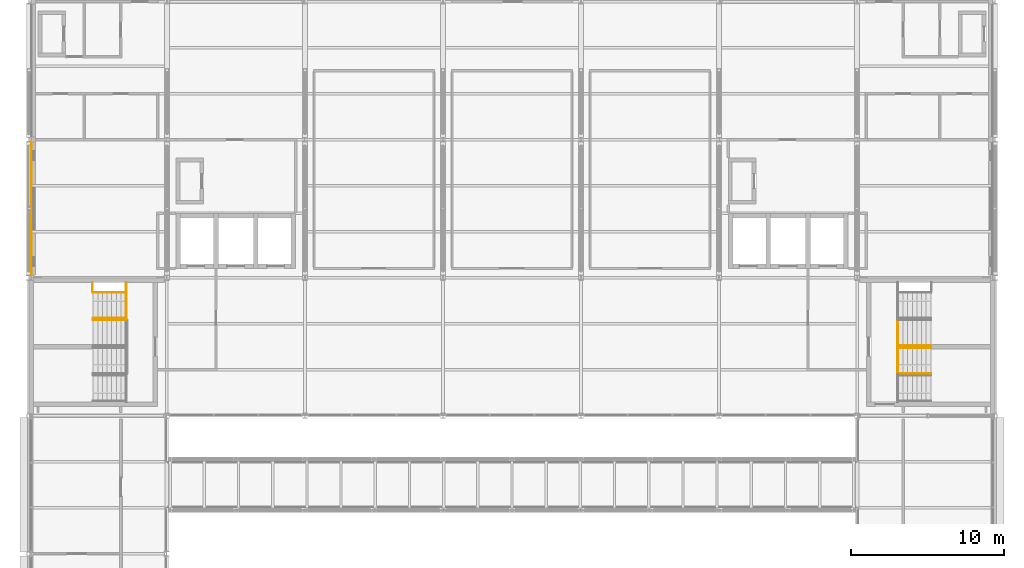
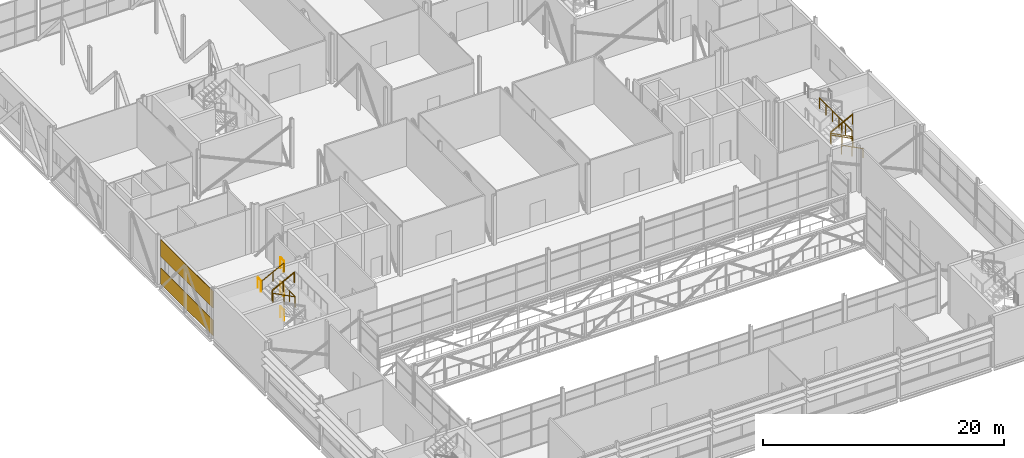
# One storey, part 91 of 94: 15 railings, 2 coverings.
"""IFC4 building model written with IfcOpenShell, lengths in metres."""

from ifc_helpers import new_model, si_unit, direction, frame, origin, origin_2d, place, context, subcontext, project, spatial, rectangle, circle, extrude, material, layer, layer_set, type_object, element, save


model = new_model("IFC4")

# Units and contexts
model_context = context("Model", 3, precision=1e-05, world=origin(), true_north=direction((0.0, 1.0)))
body_context = subcontext(model_context, "Body", "Model", "MODEL_VIEW")
ifc_project = project(units=[si_unit("LENGTHUNIT", "METRE"), si_unit("AREAUNIT", "SQUARE_METRE"), si_unit("VOLUMEUNIT", "CUBIC_METRE"), si_unit("PLANEANGLEUNIT", "RADIAN"), si_unit("MASSUNIT", "GRAM", prefix="KILO")], contexts=[model_context])

# Site, building, storey
site_placement = place(None, origin())
site = spatial("IfcSite", under=ifc_project, at=site_placement, CompositionType="ELEMENT")
building_placement = place(site_placement, origin())
building = spatial("IfcBuilding", under=site, at=building_placement, Name="Shorebreak Coast Museum", CompositionType="ELEMENT")
storey_placement = place(building_placement, frame((0.0, 0.0, 31.0)))
storey = spatial("IfcBuildingStorey", under=building, at=storey_placement, Name="L05", CompositionType="ELEMENT", Elevation=31.0)

# Railings
ifc_material_1 = material(Name="Steel Grade 300", Category="steel")
railing_type_1 = type_object("IfcRailingType", Name="Stair guard 1100", PredefinedType="GUARDRAIL", material=ifc_material_1)
railing_1_placement = place(storey_placement, frame((60.35009765625, 87.300048828125, 2.5)))
element("IfcRailing", 1, at=railing_1_placement, inside=storey, type_object=railing_type_1, Name="Guard ST03 L05 landing mid1", PredefinedType="GUARDRAIL", context=body_context, shape_type="SweptSolid", body=[
    extrude(circle(Radius=0.02490234375, at=origin_2d()), frame((0.0, 0.0, 1.0751953125), z_axis=(0.0, 1.0, 0.0), x_axis=(-1.0, 0.0, 0.0)), (0.0, 0.0, 1.0), 1.800048828125),
    extrude(circle(Radius=0.02001953125, at=origin_2d()), origin(), (0.0, 0.0, 1.0), 1.050048828125),
    extrude(circle(Radius=0.02001953125, at=origin_2d()), frame((0.0, 0.89990234375, 0.0)), (0.0, 0.0, 1.0), 1.050048828125),
    extrude(circle(Radius=0.02001953125, at=origin_2d()), frame((0.0, 1.800048828125, 0.0)), (0.0, 0.0, 1.0), 1.050048828125),
])
for number, where, name in (
    (2, (60.35009765625, 89.10009765625, 0.0), "Guard ST03 L05 landing strip"),
    (3, (60.35009765625, 89.10009765625, 2.5), "Guard ST03 L05 landing strip"),
    (4, (58.14990234375, 89.10009765625, 3.75), "Guard ST03 L05 landing strip"),
    (5, (60.35009765625, 89.10009765625, 5.0), "Guard ST03 L05 landing strip"),
):
    element("IfcRailing", number, at=place(storey_placement, frame(where)), inside=storey, type_object=railing_type_1, Name=name, PredefinedType="GUARDRAIL", context=body_context, shape_type="SweptSolid", body=[
        extrude(circle(Radius=0.02490234375, at=origin_2d()), frame((0.0, 0.0, 1.0751953125), z_axis=(0.0, 1.0, 0.0), x_axis=(-1.0, 0.0, 0.0)), (0.0, 0.0, 1.0), 0.599853515625),
        extrude(circle(Radius=0.02001953125, at=origin_2d()), origin(), (0.0, 0.0, 1.0), 1.050048828125),
        extrude(circle(Radius=0.02001953125, at=origin_2d()), frame((0.0, 0.599853515625, 0.0)), (0.0, 0.0, 1.0), 1.050048828125),
    ])
railing_2_placement = place(storey_placement, frame((58.199951171875, 87.300048828125, 3.90625)))
element("IfcRailing", 6, at=railing_2_placement, inside=storey, type_object=railing_type_1, Name="Guard ST03-L05 well 2", PredefinedType="GUARDRAIL", context=body_context, shape_type="SweptSolid", body=[
    extrude(circle(Radius=0.02490234375, at=origin_2d()), frame((0.0, 0.0, 1.0751953125), z_axis=(0.8869228845, 0.0, 0.461917521804), x_axis=(0.0, 1.0, 0.0)), (0.0, 0.0, 1.0), 2.367919921875),
    extrude(circle(Radius=0.02001953125, at=origin_2d()), origin(), (0.0, 0.0, 1.0), 1.050048828125),
    extrude(circle(Radius=0.02001953125, at=origin_2d()), frame((1.050048828125, 0.0, 0.546875)), (0.0, 0.0, 1.0), 1.050048828125),
    extrude(circle(Radius=0.02001953125, at=origin_2d()), frame((2.10009765625, 0.0, 1.09375)), (0.0, 0.0, 1.0), 1.050048828125),
])
railing_3_placement = place(storey_placement, frame((110.64990234375, 81.89990234375, 5.0)))
element("IfcRailing", 7, at=railing_3_placement, inside=storey, type_object=railing_type_1, Name="Guard ST04 L05 landing top", PredefinedType="GUARDRAIL", context=body_context, shape_type="SweptSolid", body=[
    extrude(circle(Radius=0.02490234375, at=origin_2d()), frame((0.0, 0.0, 1.0751953125), z_axis=(0.0, 1.0, 0.0), x_axis=(-1.0, 0.0, 0.0)), (0.0, 0.0, 1.0), 5.400146484375),
    extrude(circle(Radius=0.02001953125, at=origin_2d()), origin(), (0.0, 0.0, 1.0), 1.050048828125),
    extrude(circle(Radius=0.02001953125, at=origin_2d()), frame((0.0, 1.080078125, 0.0)), (0.0, 0.0, 1.0), 1.050048828125),
    extrude(circle(Radius=0.02001953125, at=origin_2d()), frame((0.0, 2.16015625, 0.0)), (0.0, 0.0, 1.0), 1.050048828125),
    extrude(circle(Radius=0.02001953125, at=origin_2d()), frame((0.0, 3.239990234375, 0.0)), (0.0, 0.0, 1.0), 1.050048828125),
    extrude(circle(Radius=0.02001953125, at=origin_2d()), frame((0.0, 4.320068359375, 0.0)), (0.0, 0.0, 1.0), 1.050048828125),
    extrude(circle(Radius=0.02001953125, at=origin_2d()), frame((0.0, 5.400146484375, 0.0)), (0.0, 0.0, 1.0), 1.050048828125),
])
railing_4_placement = place(storey_placement, frame((112.800048828125, 85.5, 1.40625)))
element("IfcRailing", 8, at=railing_4_placement, inside=storey, type_object=railing_type_1, Name="Guard ST04-L05 side 1", PredefinedType="GUARDRAIL", context=body_context, shape_type="SweptSolid", body=[
    extrude(circle(Radius=0.02490234375, at=origin_2d()), frame((0.0, 0.0, 1.0751953125), z_axis=(-0.8869228845, 0.0, 0.461917521804), x_axis=(0.0, -1.0, 0.0)), (0.0, 0.0, 1.0), 2.367919921875),
    extrude(circle(Radius=0.02001953125, at=origin_2d()), origin(), (0.0, 0.0, 1.0), 1.050048828125),
    extrude(circle(Radius=0.02001953125, at=origin_2d()), frame((-1.050048828125, 0.0, 0.546875)), (0.0, 0.0, 1.0), 1.050048828125),
    extrude(circle(Radius=0.02001953125, at=origin_2d()), frame((-2.10009765625, 0.0, 1.09375)), (0.0, 0.0, 1.0), 1.050048828125),
])
railing_5_placement = place(storey_placement, frame((110.699951171875, 85.5, 2.65625)))
element("IfcRailing", 9, at=railing_5_placement, inside=storey, type_object=railing_type_1, Name="Guard ST04-L05 side 2", PredefinedType="GUARDRAIL", context=body_context, shape_type="SweptSolid", body=[
    extrude(circle(Radius=0.02490234375, at=origin_2d()), frame((0.0, 0.0, 1.0751953125), z_axis=(0.8869228845, 0.0, 0.461917521804), x_axis=(0.0, 1.0, 0.0)), (0.0, 0.0, 1.0), 2.367919921875),
    extrude(circle(Radius=0.02001953125, at=origin_2d()), origin(), (0.0, 0.0, 1.0), 1.050048828125),
    extrude(circle(Radius=0.02001953125, at=origin_2d()), frame((1.050048828125, 0.0, 0.546875)), (0.0, 0.0, 1.0), 1.050048828125),
    extrude(circle(Radius=0.02001953125, at=origin_2d()), frame((2.10009765625, 0.0, 1.09375)), (0.0, 0.0, 1.0), 1.050048828125),
])
ifc_material_2 = material(Name="Steel Grade 300", Category="steel")
railing_type_2 = type_object("IfcRailingType", Name="Stair handrail 950", PredefinedType="HANDRAIL", material=ifc_material_2)
railing_6_placement = place(storey_placement, frame((60.300048828125, 87.239990234375, 2.65625)))
element("IfcRailing", 10, at=railing_6_placement, inside=storey, type_object=railing_type_2, Name="Handrail ST03-L05 flight 3b", PredefinedType="HANDRAIL", context=body_context, shape_type="SweptSolid", body=[
    extrude(circle(Radius=0.02490234375, at=origin_2d()), frame((0.0, 0.0, 0.9248046875), z_axis=(-0.8869228845, 0.0, 0.461917521804), x_axis=(0.0, -1.0, 0.0)), (0.0, 0.0, 1.0), 2.367919921875),
    extrude(circle(Radius=0.02001953125, at=origin_2d()), origin(), (0.0, 0.0, 1.0), 0.89990234375),
    extrude(circle(Radius=0.02001953125, at=origin_2d()), frame((-1.050048828125, 0.0, 0.546875)), (0.0, 0.0, 1.0), 0.89990234375),
    extrude(circle(Radius=0.02001953125, at=origin_2d()), frame((-2.10009765625, 0.0, 1.09375)), (0.0, 0.0, 1.0), 0.89990234375),
])
for number, where, name in (
    (11, (58.199951171875, 87.360107421875, 3.90625), "Handrail ST03-L05 flight 4a"),
    (12, (58.199951171875, 89.0400390625, 3.90625), "Handrail ST03-L05 flight 4b"),
):
    element("IfcRailing", number, at=place(storey_placement, frame(where)), inside=storey, type_object=railing_type_2, Name=name, PredefinedType="HANDRAIL", context=body_context, shape_type="SweptSolid", body=[
        extrude(circle(Radius=0.02490234375, at=origin_2d()), frame((0.0, 0.0, 0.9248046875), z_axis=(0.8869228845, 0.0, 0.461917521804), x_axis=(0.0, 1.0, 0.0)), (0.0, 0.0, 1.0), 2.367919921875),
        extrude(circle(Radius=0.02001953125, at=origin_2d()), origin(), (0.0, 0.0, 1.0), 0.89990234375),
        extrude(circle(Radius=0.02001953125, at=origin_2d()), frame((1.050048828125, 0.0, 0.546875)), (0.0, 0.0, 1.0), 0.89990234375),
        extrude(circle(Radius=0.02001953125, at=origin_2d()), frame((2.10009765625, 0.0, 1.09375)), (0.0, 0.0, 1.0), 0.89990234375),
    ])
for number, where, name in (
    (13, (112.800048828125, 83.760009765625, 1.40625), "Handrail ST04-L05 flight 2a"),
    (14, (112.800048828125, 85.43994140625, 1.40625), "Handrail ST04-L05 flight 2b"),
):
    element("IfcRailing", number, at=place(storey_placement, frame(where)), inside=storey, type_object=railing_type_2, Name=name, PredefinedType="HANDRAIL", context=body_context, shape_type="SweptSolid", body=[
        extrude(circle(Radius=0.02490234375, at=origin_2d()), frame((0.0, 0.0, 0.9248046875), z_axis=(-0.8869228845, 0.0, 0.461917521804), x_axis=(0.0, -1.0, 0.0)), (0.0, 0.0, 1.0), 2.367919921875),
        extrude(circle(Radius=0.02001953125, at=origin_2d()), origin(), (0.0, 0.0, 1.0), 0.89990234375),
        extrude(circle(Radius=0.02001953125, at=origin_2d()), frame((-1.050048828125, 0.0, 0.546875)), (0.0, 0.0, 1.0), 0.89990234375),
        extrude(circle(Radius=0.02001953125, at=origin_2d()), frame((-2.10009765625, 0.0, 1.09375)), (0.0, 0.0, 1.0), 0.89990234375),
    ])
railing_7_placement = place(storey_placement, frame((110.699951171875, 85.56005859375, 2.65625)))
element("IfcRailing", 15, at=railing_7_placement, inside=storey, type_object=railing_type_2, Name="Handrail ST04-L05 flight 3a", PredefinedType="HANDRAIL", context=body_context, shape_type="SweptSolid", body=[
    extrude(circle(Radius=0.02490234375, at=origin_2d()), frame((0.0, 0.0, 0.9248046875), z_axis=(0.8869228845, 0.0, 0.461917521804), x_axis=(0.0, 1.0, 0.0)), (0.0, 0.0, 1.0), 2.367919921875),
    extrude(circle(Radius=0.02001953125, at=origin_2d()), origin(), (0.0, 0.0, 1.0), 0.89990234375),
    extrude(circle(Radius=0.02001953125, at=origin_2d()), frame((1.050048828125, 0.0, 0.546875)), (0.0, 0.0, 1.0), 0.89990234375),
    extrude(circle(Radius=0.02001953125, at=origin_2d()), frame((2.10009765625, 0.0, 1.09375)), (0.0, 0.0, 1.0), 0.89990234375),
])

# Coverings
ifc_material_3 = material(Name="Aluminium", Category="aluminium")
ifc_layer = layer(ifc_material_3, 0.0400390625)
ifc_layer_set = layer_set([ifc_layer], Name="Aluminium")
covering_type = type_object("IfcCoveringType", Name="Zinc standing-seam panel 40", PredefinedType="CLADDING", material=ifc_layer_set)
covering_1_placement = place(storey_placement, frame((54.17041015625, 94.518310546875, 0.0), z_axis=(0.0, 0.0, 1.0), x_axis=(1.0, 0.0, 0.0)))
element("IfcCovering", 16, at=covering_1_placement, inside=storey, type_object=covering_type, Name="Zinc cladding L05 W6", PredefinedType="CLADDING", context=body_context, shape_type="SweptSolid", body=[
    extrude(rectangle(XDim=0.0400390625, YDim=8.70947265625, at=origin_2d()), origin(), (0.0, 0.0, 1.0), 1.60009765625),
])
covering_2_placement = place(storey_placement, frame((54.17041015625, 94.518310546875, 2.7998046875), z_axis=(0.0, 0.0, 1.0), x_axis=(1.0, 0.0, 0.0)))
element("IfcCovering", 17, at=covering_2_placement, inside=storey, type_object=covering_type, Name="Zinc cladding L05 W7", PredefinedType="CLADDING", context=body_context, shape_type="SweptSolid", body=[
    extrude(rectangle(XDim=0.0400390625, YDim=8.70947265625, at=origin_2d()), origin(), (0.0, 0.0, 1.0), 1.704345703125),
])

save(model, "model.ifc")
